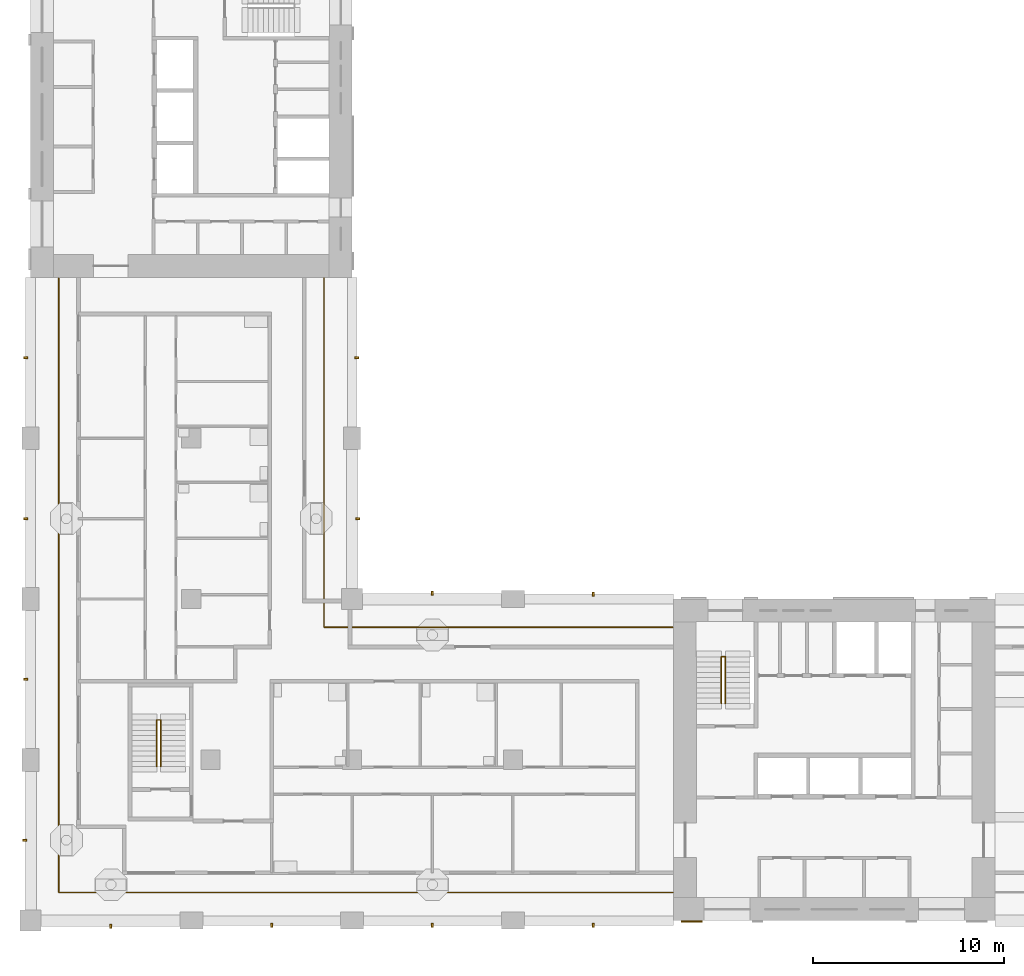
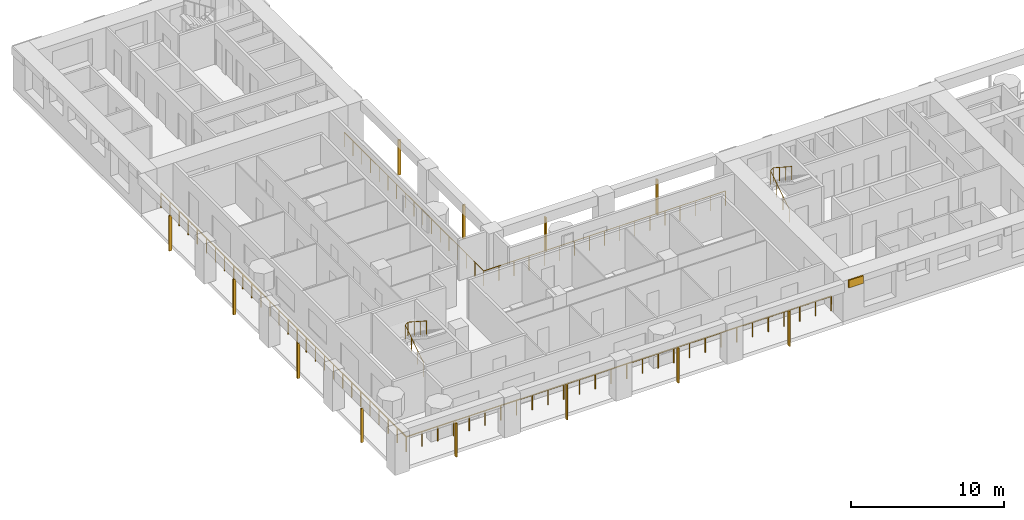
# One storey, part 8 of 13: 13 shading devices, 4 railings.
"""IFC4 building model written with IfcOpenShell, lengths in metres."""

from ifc_helpers import new_model, si_unit, direction, frame, origin, origin_2d, place, context, subcontext, project, spatial, rectangle, circle, extrude, material, layer, layer_set, material_profile, profile_set, type_object, element, save


model = new_model("IFC4")

# Units and contexts
model_context = context("Model", 3, precision=1e-05, world=origin(), true_north=direction((0.0, 1.0)))
body_context = subcontext(model_context, "Body", "Model", "MODEL_VIEW")
ifc_project = project(units=[si_unit("LENGTHUNIT", "METRE"), si_unit("AREAUNIT", "SQUARE_METRE"), si_unit("VOLUMEUNIT", "CUBIC_METRE"), si_unit("PLANEANGLEUNIT", "RADIAN"), si_unit("MASSUNIT", "GRAM", prefix="KILO")], contexts=[model_context])

# Site, building, storey
site_placement = place(None, origin())
site = spatial("IfcSite", under=ifc_project, at=site_placement, CompositionType="ELEMENT")
building_placement = place(site_placement, origin())
building = spatial("IfcBuilding", under=site, at=building_placement, Name="Vermilion Gate Residences", CompositionType="ELEMENT")
storey_placement = place(building_placement, frame((0.0, 0.0, 158.199951171875)))
storey = spatial("IfcBuildingStorey", under=building, at=storey_placement, Name="L40", CompositionType="ELEMENT", Elevation=158.199951171875)

# Railings
ifc_material_1 = material(Name="Stainless steel and toughened glass", Category="steel")
railing_type_1 = type_object("IfcRailingType", Name="LOGGIA GUARD STEEL AND GLASS 1200", PredefinedType="GUARDRAIL", material=ifc_material_1)
railing_1_placement = place(storey_placement, frame((41.97802734375, 23.72509765625, 0.0)))
element("IfcRailing", 1, at=railing_1_placement, inside=storey, type_object=railing_type_1, Name="Loggia guard", PredefinedType="GUARDRAIL", context=body_context, shape_type="SweptSolid", body=[
    extrude(circle(Radius=0.030029296875, at=origin_2d()), frame((0.0, 0.0, 1.169921875), z_axis=(-1.0, 0.0, 0.0), x_axis=(0.0, -1.0, 0.0)), (0.0, 0.0, 1.0), 18.2529296875),
    extrude(circle(Radius=0.030029296875, at=origin_2d()), frame((-18.2529296875, 0.0, 1.169921875), z_axis=(0.0, 1.0, 0.0), x_axis=(-1.0, 0.0, 0.0)), (0.0, 0.0, 1.0), 18.2529296875),
    extrude(circle(Radius=0.02490234375, at=origin_2d()), origin(), (0.0, 0.0, 1.0), 1.139892578125),
    extrude(circle(Radius=0.02490234375, at=origin_2d()), frame((-1.140869140625, 0.0, 0.0)), (0.0, 0.0, 1.0), 1.139892578125),
    extrude(circle(Radius=0.02490234375, at=origin_2d()), frame((-2.28173828125, 0.0, 0.0)), (0.0, 0.0, 1.0), 1.139892578125),
    extrude(circle(Radius=0.02490234375, at=origin_2d()), frame((-3.42236328125, 0.0, 0.0)), (0.0, 0.0, 1.0), 1.139892578125),
    extrude(circle(Radius=0.02490234375, at=origin_2d()), frame((-4.563232421875, 0.0, 0.0)), (0.0, 0.0, 1.0), 1.139892578125),
    extrude(circle(Radius=0.02490234375, at=origin_2d()), frame((-5.7041015625, 0.0, 0.0)), (0.0, 0.0, 1.0), 1.139892578125),
    extrude(circle(Radius=0.02490234375, at=origin_2d()), frame((-6.8447265625, 0.0, 0.0)), (0.0, 0.0, 1.0), 1.139892578125),
    extrude(circle(Radius=0.02490234375, at=origin_2d()), frame((-7.985595703125, 0.0, 0.0)), (0.0, 0.0, 1.0), 1.139892578125),
    extrude(circle(Radius=0.02490234375, at=origin_2d()), frame((-9.12646484375, 0.0, 0.0)), (0.0, 0.0, 1.0), 1.139892578125),
    extrude(circle(Radius=0.02490234375, at=origin_2d()), frame((-10.267333984375, 0.0, 0.0)), (0.0, 0.0, 1.0), 1.139892578125),
    extrude(circle(Radius=0.02490234375, at=origin_2d()), frame((-11.408203125, 0.0, 0.0)), (0.0, 0.0, 1.0), 1.139892578125),
    extrude(circle(Radius=0.02490234375, at=origin_2d()), frame((-12.548828125, 0.0, 0.0)), (0.0, 0.0, 1.0), 1.139892578125),
    extrude(circle(Radius=0.02490234375, at=origin_2d()), frame((-13.689697265625, 0.0, 0.0)), (0.0, 0.0, 1.0), 1.139892578125),
    extrude(circle(Radius=0.02490234375, at=origin_2d()), frame((-14.83056640625, 0.0, 0.0)), (0.0, 0.0, 1.0), 1.139892578125),
    extrude(circle(Radius=0.02490234375, at=origin_2d()), frame((-15.97119140625, 0.0, 0.0)), (0.0, 0.0, 1.0), 1.139892578125),
    extrude(circle(Radius=0.02490234375, at=origin_2d()), frame((-17.112060546875, 0.0, 0.0)), (0.0, 0.0, 1.0), 1.139892578125),
    extrude(circle(Radius=0.02490234375, at=origin_2d()), frame((-18.2529296875, 0.0, 0.0)), (0.0, 0.0, 1.0), 1.139892578125),
    extrude(circle(Radius=0.02490234375, at=origin_2d()), frame((-18.2529296875, 1.140869140625, 0.0)), (0.0, 0.0, 1.0), 1.139892578125),
    extrude(circle(Radius=0.02490234375, at=origin_2d()), frame((-18.2529296875, 2.28173828125, 0.0)), (0.0, 0.0, 1.0), 1.139892578125),
    extrude(circle(Radius=0.02490234375, at=origin_2d()), frame((-18.2529296875, 3.42236328125, 0.0)), (0.0, 0.0, 1.0), 1.139892578125),
    extrude(circle(Radius=0.02490234375, at=origin_2d()), frame((-18.2529296875, 4.563232421875, 0.0)), (0.0, 0.0, 1.0), 1.139892578125),
    extrude(circle(Radius=0.02490234375, at=origin_2d()), frame((-18.2529296875, 5.7041015625, 0.0)), (0.0, 0.0, 1.0), 1.139892578125),
    extrude(circle(Radius=0.02490234375, at=origin_2d()), frame((-18.2529296875, 6.8447265625, 0.0)), (0.0, 0.0, 1.0), 1.139892578125),
    extrude(circle(Radius=0.02490234375, at=origin_2d()), frame((-18.2529296875, 7.985595703125, 0.0)), (0.0, 0.0, 1.0), 1.139892578125),
    extrude(circle(Radius=0.02490234375, at=origin_2d()), frame((-18.2529296875, 9.12646484375, 0.0)), (0.0, 0.0, 1.0), 1.139892578125),
    extrude(circle(Radius=0.02490234375, at=origin_2d()), frame((-18.2529296875, 10.267333984375, 0.0)), (0.0, 0.0, 1.0), 1.139892578125),
    extrude(circle(Radius=0.02490234375, at=origin_2d()), frame((-18.2529296875, 11.408203125, 0.0)), (0.0, 0.0, 1.0), 1.139892578125),
    extrude(circle(Radius=0.02490234375, at=origin_2d()), frame((-18.2529296875, 12.548828125, 0.0)), (0.0, 0.0, 1.0), 1.139892578125),
    extrude(circle(Radius=0.02490234375, at=origin_2d()), frame((-18.2529296875, 13.689697265625, 0.0)), (0.0, 0.0, 1.0), 1.139892578125),
    extrude(circle(Radius=0.02490234375, at=origin_2d()), frame((-18.2529296875, 14.83056640625, 0.0)), (0.0, 0.0, 1.0), 1.139892578125),
    extrude(circle(Radius=0.02490234375, at=origin_2d()), frame((-18.2529296875, 15.97119140625, 0.0)), (0.0, 0.0, 1.0), 1.139892578125),
    extrude(circle(Radius=0.02490234375, at=origin_2d()), frame((-18.2529296875, 17.112060546875, 0.0)), (0.0, 0.0, 1.0), 1.139892578125),
    extrude(circle(Radius=0.02490234375, at=origin_2d()), frame((-18.2529296875, 18.2529296875, 0.0)), (0.0, 0.0, 1.0), 1.139892578125),
])
railing_2_placement = place(storey_placement, frame((9.875, 41.97802734375, 0.0)))
element("IfcRailing", 2, at=railing_2_placement, inside=storey, type_object=railing_type_1, Name="Loggia guard", PredefinedType="GUARDRAIL", context=body_context, shape_type="SweptSolid", body=[
    extrude(circle(Radius=0.030029296875, at=origin_2d()), frame((0.0, 0.0, 1.169921875), z_axis=(0.0, -1.0, 0.0), x_axis=(1.0, 0.0, 0.0)), (0.0, 0.0, 1.0), 32.10302734375),
    extrude(circle(Radius=0.030029296875, at=origin_2d()), frame((0.0, -32.10302734375, 1.169921875), z_axis=(1.0, 0.0, 0.0), x_axis=(0.0, 1.0, 0.0)), (0.0, 0.0, 1.0), 32.10302734375),
    extrude(circle(Radius=0.02490234375, at=origin_2d()), origin(), (0.0, 0.0, 1.0), 1.139892578125),
    extrude(circle(Radius=0.02490234375, at=origin_2d()), frame((0.0, -1.18896484375, 0.0)), (0.0, 0.0, 1.0), 1.139892578125),
    extrude(circle(Radius=0.02490234375, at=origin_2d()), frame((0.0, -2.3779296875, 0.0)), (0.0, 0.0, 1.0), 1.139892578125),
    extrude(circle(Radius=0.02490234375, at=origin_2d()), frame((0.0, -3.56689453125, 0.0)), (0.0, 0.0, 1.0), 1.139892578125),
    extrude(circle(Radius=0.02490234375, at=origin_2d()), frame((0.0, -4.756103515625, 0.0)), (0.0, 0.0, 1.0), 1.139892578125),
    extrude(circle(Radius=0.02490234375, at=origin_2d()), frame((0.0, -5.945068359375, 0.0)), (0.0, 0.0, 1.0), 1.139892578125),
    extrude(circle(Radius=0.02490234375, at=origin_2d()), frame((0.0, -7.134033203125, 0.0)), (0.0, 0.0, 1.0), 1.139892578125),
    extrude(circle(Radius=0.02490234375, at=origin_2d()), frame((0.0, -8.322998046875, 0.0)), (0.0, 0.0, 1.0), 1.139892578125),
    extrude(circle(Radius=0.02490234375, at=origin_2d()), frame((0.0, -9.511962890625, 0.0)), (0.0, 0.0, 1.0), 1.139892578125),
    extrude(circle(Radius=0.02490234375, at=origin_2d()), frame((0.0, -10.700927734375, 0.0)), (0.0, 0.0, 1.0), 1.139892578125),
    extrude(circle(Radius=0.02490234375, at=origin_2d()), frame((0.0, -11.889892578125, 0.0)), (0.0, 0.0, 1.0), 1.139892578125),
    extrude(circle(Radius=0.02490234375, at=origin_2d()), frame((0.0, -13.0791015625, 0.0)), (0.0, 0.0, 1.0), 1.139892578125),
    extrude(circle(Radius=0.02490234375, at=origin_2d()), frame((0.0, -14.26806640625, 0.0)), (0.0, 0.0, 1.0), 1.139892578125),
    extrude(circle(Radius=0.02490234375, at=origin_2d()), frame((0.0, -15.45703125, 0.0)), (0.0, 0.0, 1.0), 1.139892578125),
    extrude(circle(Radius=0.02490234375, at=origin_2d()), frame((0.0, -16.64599609375, 0.0)), (0.0, 0.0, 1.0), 1.139892578125),
    extrude(circle(Radius=0.02490234375, at=origin_2d()), frame((0.0, -17.8349609375, 0.0)), (0.0, 0.0, 1.0), 1.139892578125),
    extrude(circle(Radius=0.02490234375, at=origin_2d()), frame((0.0, -19.02392578125, 0.0)), (0.0, 0.0, 1.0), 1.139892578125),
    extrude(circle(Radius=0.02490234375, at=origin_2d()), frame((0.0, -20.213134765625, 0.0)), (0.0, 0.0, 1.0), 1.139892578125),
    extrude(circle(Radius=0.02490234375, at=origin_2d()), frame((0.0, -21.402099609375, 0.0)), (0.0, 0.0, 1.0), 1.139892578125),
    extrude(circle(Radius=0.02490234375, at=origin_2d()), frame((0.0, -22.591064453125, 0.0)), (0.0, 0.0, 1.0), 1.139892578125),
    extrude(circle(Radius=0.02490234375, at=origin_2d()), frame((0.0, -23.780029296875, 0.0)), (0.0, 0.0, 1.0), 1.139892578125),
    extrude(circle(Radius=0.02490234375, at=origin_2d()), frame((0.0, -24.968994140625, 0.0)), (0.0, 0.0, 1.0), 1.139892578125),
    extrude(circle(Radius=0.02490234375, at=origin_2d()), frame((0.0, -26.157958984375, 0.0)), (0.0, 0.0, 1.0), 1.139892578125),
    extrude(circle(Radius=0.02490234375, at=origin_2d()), frame((0.0, -27.346923828125, 0.0)), (0.0, 0.0, 1.0), 1.139892578125),
    extrude(circle(Radius=0.02490234375, at=origin_2d()), frame((0.0, -28.5361328125, 0.0)), (0.0, 0.0, 1.0), 1.139892578125),
    extrude(circle(Radius=0.02490234375, at=origin_2d()), frame((0.0, -29.72509765625, 0.0)), (0.0, 0.0, 1.0), 1.139892578125),
    extrude(circle(Radius=0.02490234375, at=origin_2d()), frame((0.0, -30.9140625, 0.0)), (0.0, 0.0, 1.0), 1.139892578125),
    extrude(circle(Radius=0.02490234375, at=origin_2d()), frame((0.0, -32.10302734375, 0.0)), (0.0, 0.0, 1.0), 1.139892578125),
    extrude(circle(Radius=0.02490234375, at=origin_2d()), frame((1.18896484375, -32.10302734375, 0.0)), (0.0, 0.0, 1.0), 1.139892578125),
    extrude(circle(Radius=0.02490234375, at=origin_2d()), frame((2.3779296875, -32.10302734375, 0.0)), (0.0, 0.0, 1.0), 1.139892578125),
    extrude(circle(Radius=0.02490234375, at=origin_2d()), frame((3.56689453125, -32.10302734375, 0.0)), (0.0, 0.0, 1.0), 1.139892578125),
    extrude(circle(Radius=0.02490234375, at=origin_2d()), frame((4.756103515625, -32.10302734375, 0.0)), (0.0, 0.0, 1.0), 1.139892578125),
    extrude(circle(Radius=0.02490234375, at=origin_2d()), frame((5.945068359375, -32.10302734375, 0.0)), (0.0, 0.0, 1.0), 1.139892578125),
    extrude(circle(Radius=0.02490234375, at=origin_2d()), frame((7.134033203125, -32.10302734375, 0.0)), (0.0, 0.0, 1.0), 1.139892578125),
    extrude(circle(Radius=0.02490234375, at=origin_2d()), frame((8.322998046875, -32.10302734375, 0.0)), (0.0, 0.0, 1.0), 1.139892578125),
    extrude(circle(Radius=0.02490234375, at=origin_2d()), frame((9.511962890625, -32.10302734375, 0.0)), (0.0, 0.0, 1.0), 1.139892578125),
    extrude(circle(Radius=0.02490234375, at=origin_2d()), frame((10.700927734375, -32.10302734375, 0.0)), (0.0, 0.0, 1.0), 1.139892578125),
    extrude(circle(Radius=0.02490234375, at=origin_2d()), frame((11.889892578125, -32.10302734375, 0.0)), (0.0, 0.0, 1.0), 1.139892578125),
    extrude(circle(Radius=0.02490234375, at=origin_2d()), frame((13.0791015625, -32.10302734375, 0.0)), (0.0, 0.0, 1.0), 1.139892578125),
    extrude(circle(Radius=0.02490234375, at=origin_2d()), frame((14.26806640625, -32.10302734375, 0.0)), (0.0, 0.0, 1.0), 1.139892578125),
    extrude(circle(Radius=0.02490234375, at=origin_2d()), frame((15.45703125, -32.10302734375, 0.0)), (0.0, 0.0, 1.0), 1.139892578125),
    extrude(circle(Radius=0.02490234375, at=origin_2d()), frame((16.64599609375, -32.10302734375, 0.0)), (0.0, 0.0, 1.0), 1.139892578125),
    extrude(circle(Radius=0.02490234375, at=origin_2d()), frame((17.8349609375, -32.10302734375, 0.0)), (0.0, 0.0, 1.0), 1.139892578125),
    extrude(circle(Radius=0.02490234375, at=origin_2d()), frame((19.02392578125, -32.10302734375, 0.0)), (0.0, 0.0, 1.0), 1.139892578125),
    extrude(circle(Radius=0.02490234375, at=origin_2d()), frame((20.213134765625, -32.10302734375, 0.0)), (0.0, 0.0, 1.0), 1.139892578125),
    extrude(circle(Radius=0.02490234375, at=origin_2d()), frame((21.402099609375, -32.10302734375, 0.0)), (0.0, 0.0, 1.0), 1.139892578125),
    extrude(circle(Radius=0.02490234375, at=origin_2d()), frame((22.591064453125, -32.10302734375, 0.0)), (0.0, 0.0, 1.0), 1.139892578125),
    extrude(circle(Radius=0.02490234375, at=origin_2d()), frame((23.780029296875, -32.10302734375, 0.0)), (0.0, 0.0, 1.0), 1.139892578125),
    extrude(circle(Radius=0.02490234375, at=origin_2d()), frame((24.968994140625, -32.10302734375, 0.0)), (0.0, 0.0, 1.0), 1.139892578125),
    extrude(circle(Radius=0.02490234375, at=origin_2d()), frame((26.157958984375, -32.10302734375, 0.0)), (0.0, 0.0, 1.0), 1.139892578125),
    extrude(circle(Radius=0.02490234375, at=origin_2d()), frame((27.346923828125, -32.10302734375, 0.0)), (0.0, 0.0, 1.0), 1.139892578125),
    extrude(circle(Radius=0.02490234375, at=origin_2d()), frame((28.5361328125, -32.10302734375, 0.0)), (0.0, 0.0, 1.0), 1.139892578125),
    extrude(circle(Radius=0.02490234375, at=origin_2d()), frame((29.72509765625, -32.10302734375, 0.0)), (0.0, 0.0, 1.0), 1.139892578125),
    extrude(circle(Radius=0.02490234375, at=origin_2d()), frame((30.9140625, -32.10302734375, 0.0)), (0.0, 0.0, 1.0), 1.139892578125),
    extrude(circle(Radius=0.02490234375, at=origin_2d()), frame((32.10302734375, -32.10302734375, 0.0)), (0.0, 0.0, 1.0), 1.139892578125),
])
ifc_material_2 = material(Name="Steel S355", Category="steel")
railing_type_2 = type_object("IfcRailingType", Name="STAIR GUARD 1100 STEEL", PredefinedType="GUARDRAIL", material=ifc_material_2)
for number, where, name in (
    (3, (44.5, 19.75, 0.175048828125), "Stair well guard STA1-40"),
    (4, (15.0, 16.449951171875, 0.175048828125), "Stair well guard STC1-40"),
):
    element("IfcRailing", number, at=place(storey_placement, frame(where)), inside=storey, type_object=railing_type_2, Name=name, PredefinedType="GUARDRAIL", context=body_context, shape_type="SweptSolid", body=[
        extrude(circle(Radius=0.02392578125, at=origin_2d()), frame((0.0, 0.0, 1.076171875), z_axis=(0.0, 0.839153699163, 0.543894354798), x_axis=(-1.0, 0.0, 0.0)), (0.0, 0.0, 1.0), 2.895751953125),
        extrude(circle(Radius=0.02392578125, at=origin_2d()), frame((0.0, 2.429931640625, 2.65087890625), z_axis=(0.752405939678, 0.0, 0.658699705433), x_axis=(0.0, 1.0, 0.0)), (0.0, 0.0, 1.0), 0.265869140625),
        extrude(circle(Radius=0.02392578125, at=origin_2d()), frame((0.199951171875, 2.429931640625, 2.826171875), z_axis=(0.0, -0.839153699163, 0.543894354798), x_axis=(1.0, 0.0, 0.0)), (0.0, 0.0, 1.0), 2.895751953125),
        extrude(circle(Radius=0.02099609375, at=origin_2d()), origin(), (0.0, 0.0, 1.0), 1.052001953125),
        extrude(circle(Radius=0.02099609375, at=origin_2d()), frame((0.0, 0.81005859375, 0.52490234375)), (0.0, 0.0, 1.0), 1.052001953125),
        extrude(circle(Radius=0.02099609375, at=origin_2d()), frame((0.0, 1.619873046875, 1.050048828125)), (0.0, 0.0, 1.0), 1.052001953125),
        extrude(circle(Radius=0.02099609375, at=origin_2d()), frame((0.0, 2.429931640625, 1.574951171875)), (0.0, 0.0, 1.0), 1.052001953125),
        extrude(circle(Radius=0.02099609375, at=origin_2d()), frame((0.199951171875, 2.429931640625, 1.75)), (0.0, 0.0, 1.0), 1.052001953125),
        extrude(circle(Radius=0.02099609375, at=origin_2d()), frame((0.199951171875, 1.619873046875, 2.27490234375)), (0.0, 0.0, 1.0), 1.052001953125),
        extrude(circle(Radius=0.02099609375, at=origin_2d()), frame((0.199951171875, 0.81005859375, 2.800048828125)), (0.0, 0.0, 1.0), 1.052001953125),
        extrude(circle(Radius=0.02099609375, at=origin_2d()), frame((0.199951171875, 0.0, 3.324951171875)), (0.0, 0.0, 1.0), 1.052001953125),
    ])

# Shading devices
ifc_material_3 = material(Name="Extruded terracotta", Category="masonry")
ifc_material_profile = material_profile(ifc_material_3, rectangle(XDim=0.199951171875, YDim=0.10009765625, at=origin_2d()), Name="BAGUETTE 100 X 200")
ifc_profile_set = profile_set([ifc_material_profile], Name="Extruded terracotta")
shading_device_type_1 = type_object("IfcShadingDeviceType", Name="TERRACOTTA BAGUETTE 100 X 200", PredefinedType="JALOUSIE", material=ifc_profile_set)
shading_device_1_placement = place(storey_placement, frame((12.60009765625, 8.10009765625, -0.280029296875), z_axis=(0.0, 0.0, 1.0), x_axis=(0.0, 1.0, 0.0)))
element("IfcShadingDevice", 5, at=shading_device_1_placement, inside=storey, type_object=shading_device_type_1, Name="BAGUETTE", PredefinedType="JALOUSIE", context=body_context, shape_type="SweptSolid", body=[
    extrude(rectangle(XDim=0.199951171875, YDim=0.10009765625, at=origin_2d()), origin(), (0.0, 0.0, 1.0), 2.7001953125),
])
for number, where, z_axis, x_axis, name in (
    (6, (21.0, 8.14990234375, -0.280029296875), (0.0, 0.0, 1.0), (0.0, 1.0, 0.0), "BAGUETTE"),
    (7, (29.39990234375, 8.14990234375, -0.280029296875), (0.0, 0.0, 1.0), (0.0, 1.0, 0.0), "BAGUETTE"),
    (8, (37.800048828125, 8.14990234375, -0.280029296875), (0.0, 0.0, 1.0), (0.0, 1.0, 0.0), "BAGUETTE"),
):
    element("IfcShadingDevice", number, at=place(storey_placement, frame(where, z_axis=z_axis, x_axis=x_axis)), inside=storey, type_object=shading_device_type_1, Name=name, PredefinedType="JALOUSIE", context=body_context, shape_type="SweptSolid", body=[
        extrude(rectangle(XDim=0.199951171875, YDim=0.10009765625, at=origin_2d()), origin(), (0.0, 0.0, 1.0), 2.800048828125),
    ])
shading_device_2_placement = place(storey_placement, frame((29.39990234375, 25.5, -0.280029296875), z_axis=(0.0, 0.0, 1.0), x_axis=(0.0, -1.0, 0.0)))
element("IfcShadingDevice", 9, at=shading_device_2_placement, inside=storey, type_object=shading_device_type_1, Name="BAGUETTE", PredefinedType="JALOUSIE", context=body_context, shape_type="SweptSolid", body=[
    extrude(rectangle(XDim=0.199951171875, YDim=0.10009765625, at=origin_2d()), origin(), (0.0, 0.0, 1.0), 2.7001953125),
])
shading_device_3_placement = place(storey_placement, frame((37.800048828125, 25.449951171875, -0.280029296875), z_axis=(0.0, 0.0, 1.0), x_axis=(0.0, -1.0, 0.0)))
element("IfcShadingDevice", 10, at=shading_device_3_placement, inside=storey, type_object=shading_device_type_1, Name="BAGUETTE", PredefinedType="JALOUSIE", context=body_context, shape_type="SweptSolid", body=[
    extrude(rectangle(XDim=0.199951171875, YDim=0.10009765625, at=origin_2d()), origin(), (0.0, 0.0, 1.0), 2.800048828125),
])
shading_device_4_placement = place(storey_placement, frame((25.5, 29.39990234375, -0.280029296875), z_axis=(0.0, 0.0, 1.0), x_axis=(-1.0, 0.0, 0.0)))
element("IfcShadingDevice", 11, at=shading_device_4_placement, inside=storey, type_object=shading_device_type_1, Name="BAGUETTE", PredefinedType="JALOUSIE", context=body_context, shape_type="SweptSolid", body=[
    extrude(rectangle(XDim=0.199951171875, YDim=0.10009765625, at=origin_2d()), origin(), (0.0, 0.0, 1.0), 2.7001953125),
])
shading_device_5_placement = place(storey_placement, frame((25.449951171875, 37.800048828125, -0.280029296875), z_axis=(0.0, 0.0, 1.0), x_axis=(-1.0, 0.0, 0.0)))
element("IfcShadingDevice", 12, at=shading_device_5_placement, inside=storey, type_object=shading_device_type_1, Name="BAGUETTE", PredefinedType="JALOUSIE", context=body_context, shape_type="SweptSolid", body=[
    extrude(rectangle(XDim=0.199951171875, YDim=0.10009765625, at=origin_2d()), origin(), (0.0, 0.0, 1.0), 2.800048828125),
])
shading_device_6_placement = place(storey_placement, frame((8.10009765625, 12.60009765625, -0.280029296875), z_axis=(0.0, 0.0, 1.0), x_axis=(1.0, 0.0, 0.0)))
element("IfcShadingDevice", 13, at=shading_device_6_placement, inside=storey, type_object=shading_device_type_1, Name="BAGUETTE", PredefinedType="JALOUSIE", context=body_context, shape_type="SweptSolid", body=[
    extrude(rectangle(XDim=0.199951171875, YDim=0.10009765625, at=origin_2d()), origin(), (0.0, 0.0, 1.0), 2.7001953125),
])
for number, where, z_axis, x_axis, name in (
    (14, (8.14990234375, 21.0, -0.280029296875), (0.0, 0.0, 1.0), (1.0, 0.0, 0.0), "BAGUETTE"),
    (15, (8.14990234375, 29.39990234375, -0.280029296875), (0.0, 0.0, 1.0), (1.0, 0.0, 0.0), "BAGUETTE"),
    (16, (8.14990234375, 37.800048828125, -0.280029296875), (0.0, 0.0, 1.0), (1.0, 0.0, 0.0), "BAGUETTE"),
):
    element("IfcShadingDevice", number, at=place(storey_placement, frame(where, z_axis=z_axis, x_axis=x_axis)), inside=storey, type_object=shading_device_type_1, Name=name, PredefinedType="JALOUSIE", context=body_context, shape_type="SweptSolid", body=[
        extrude(rectangle(XDim=0.199951171875, YDim=0.10009765625, at=origin_2d()), origin(), (0.0, 0.0, 1.0), 2.800048828125),
    ])
ifc_material_4 = material(Name="Extruded terracotta", Category="masonry")
ifc_layer = layer(ifc_material_4, 0.10009765625)
ifc_layer_set = layer_set([ifc_layer], Name="TERRACOTTA SPANDREL BAND 600 X 100")
shading_device_type_2 = type_object("IfcShadingDeviceType", Name="TERRACOTTA SPANDREL BAND 600 X 100", PredefinedType="USERDEFINED", material=ifc_layer_set)
shading_device_7_placement = place(storey_placement, frame((42.949951171875, 8.35009765625, 2.6201171875), z_axis=(0.0, 0.0, 1.0), x_axis=(1.0, 0.0, 0.0)))
element("IfcShadingDevice", 17, at=shading_device_7_placement, inside=storey, type_object=shading_device_type_2, Name="SPANDREL BAND", ObjectType="BAND", PredefinedType="USERDEFINED", context=body_context, shape_type="SweptSolid", body=[
    extrude(rectangle(XDim=1.10009765625, YDim=0.10009765625, at=origin_2d()), origin(), (0.0, 0.0, 1.0), 0.60009765625),
])

save(model, "model.ifc")
